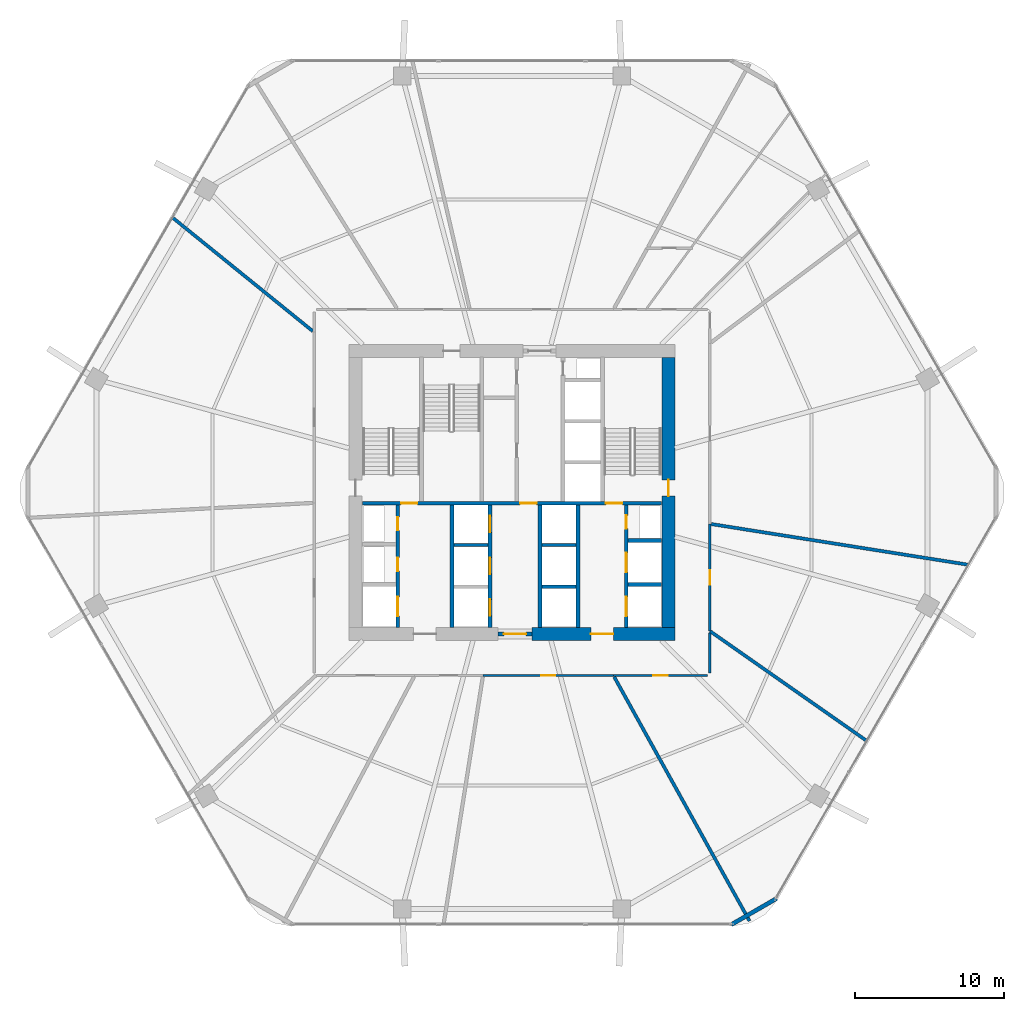
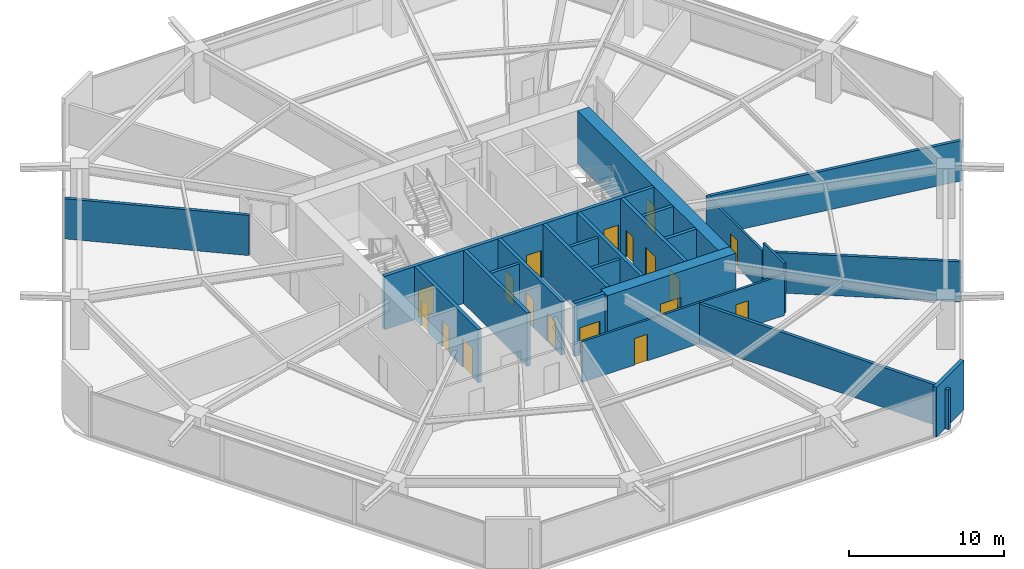
# One storey, part 22 of 26: 24 walls, 18 doors, 18 openings.
"""IFC4 building model written with IfcOpenShell, lengths in metres."""

from ifc_helpers import new_model, si_unit, direction, frame, frame_2d, origin, place, context, subcontext, project, spatial, rectangle, extrude, material, layer, layer_set, type_object, element, fill, save


model = new_model("IFC4")

# Units and contexts
model_context = context("Model", 3, precision=1e-05, world=origin(), true_north=direction((0.0, 1.0)))
body_context = subcontext(model_context, "Body", "Model", "MODEL_VIEW")
ifc_project = project(units=[si_unit("LENGTHUNIT", "METRE"), si_unit("AREAUNIT", "SQUARE_METRE"), si_unit("VOLUMEUNIT", "CUBIC_METRE"), si_unit("PLANEANGLEUNIT", "RADIAN"), si_unit("MASSUNIT", "GRAM", prefix="KILO")], contexts=[model_context])

# Site, building, storey
site_placement = place(None, origin())
site = spatial("IfcSite", under=ifc_project, at=site_placement, CompositionType="ELEMENT")
building_placement = place(site_placement, origin())
building = spatial("IfcBuilding", under=site, at=building_placement, Name="Zuhravey Tower", CompositionType="ELEMENT")
storey_placement = place(building_placement, frame((0.0, 0.0, 28.800048828125)))
storey = spatial("IfcBuildingStorey", under=building, at=storey_placement, Name="L07", CompositionType="ELEMENT", Elevation=28.800048828125)

# Wall, opening, door
ifc_material_1 = material(Name="Concrete C60/75", Category="concrete")
ifc_layer_1 = layer(ifc_material_1, 0.85009765625)
ifc_layer_set_1 = layer_set([ifc_layer_1], Name="Concrete C60/75")
wall_type_1 = type_object("IfcWallType", Name="Core Shear Wall 850", PredefinedType="SHEAR", material=ifc_layer_set_1)
wall_1_placement = place(storey_placement, frame((37.35009765625, 22.5, 0.0), z_axis=(0.0, 0.0, 1.0), x_axis=(1.0, 0.0, 0.0)))
wall_1 = element("IfcWall", 1, at=wall_1_placement, inside=storey, type_object=wall_type_1, Name="L07 South-East Core Shear Wall CW85", PredefinedType="SHEAR", context=body_context, shape_type="SweptSolid", body=[
    extrude(rectangle(XDim=9.574951171875, YDim=0.85009765625, at=frame_2d((4.78759765625, 0.0))), origin(), (0.0, 0.0, 1.0), 4.199951171875),
])
opening_1_placement = place(wall_1_placement, frame((3.949951171875, 0.0, 0.0)))
opening_1 = element("IfcOpeningElement", 2, at=opening_1_placement, cuts=wall_1, Name="Opening FFD1", PredefinedType="OPENING", context=body_context, shape_type="SweptSolid", body=[
    extrude(rectangle(XDim=1.5, YDim=2.14990234375, at=frame_2d((0.75, 1.074951171875))), frame((0.0, 0.43701171875, 0.0), z_axis=(0.0, -1.0, 0.0), x_axis=(1.0, 0.0, 0.0)), (0.0, 0.0, 1.0), 0.8740234375),
])
ifc_material_2 = material(Name="Galvanised fire-rated steel leaf", Category="steel")
door_type_1 = type_object("IfcDoorType", Name="Firefighting Lobby Double Door 1500x2150", OperationType="DOUBLE_DOOR_SINGLE_SWING", PredefinedType="DOOR", material=ifc_material_2)
door_1_placement = place(opening_1_placement, origin())
door_1 = element("IfcDoor", 3, at=door_1_placement, inside=storey, type_object=door_type_1, Name="L07 Firefighting Lobby East Door", OperationType="DOUBLE_DOOR_SINGLE_SWING", OverallHeight=2.14990234375, OverallWidth=1.5, PredefinedType="DOOR", context=body_context, shape_type="SweptSolid", body=[
    extrude(rectangle(XDim=1.5, YDim=2.14990234375, at=frame_2d((0.75, 1.074951171875))), frame((0.0, 0.02490234375, 0.0), z_axis=(0.0, -1.0, 0.0), x_axis=(1.0, 0.0, 0.0)), (0.0, 0.0, 1.0), 0.050048828125),
])
fill(opening_1, door_1)

wall_2_placement = place(storey_placement, frame((46.5, 22.925048828125, 0.0), z_axis=(0.0, 0.0, 1.0), x_axis=(0.0, 1.0, 0.0)))
wall_2 = element("IfcWall", 4, at=wall_2_placement, inside=storey, type_object=wall_type_1, Name="L07 East Core Shear Wall CW85", PredefinedType="SHEAR", context=body_context, shape_type="SweptSolid", body=[
    extrude(rectangle(XDim=18.14990234375, YDim=0.85009765625, at=frame_2d((9.074951171875, 0.0))), origin(), (0.0, 0.0, 1.0), 4.199951171875),
])
opening_2_placement = place(wall_2_placement, frame((8.824951171875, 0.0, 0.0)))
opening_2 = element("IfcOpeningElement", 5, at=opening_2_placement, cuts=wall_2, Name="Opening STD1", PredefinedType="OPENING", context=body_context, shape_type="SweptSolid", body=[
    extrude(rectangle(XDim=1.10009765625, YDim=2.14990234375, at=frame_2d((0.550048828125, 1.074951171875))), frame((0.0, 0.43701171875, 0.0), z_axis=(0.0, -1.0, 0.0), x_axis=(1.0, 0.0, 0.0)), (0.0, 0.0, 1.0), 0.8740234375),
])
door_type_2 = type_object("IfcDoorType", Name="Protected Stair Fire Door 1100x2150", OperationType="NOTDEFINED", PredefinedType="USERDEFINED", material=ifc_material_2)
door_2_placement = place(opening_2_placement, origin())
door_2 = element("IfcDoor", 6, at=door_2_placement, inside=storey, type_object=door_type_2, Name="L07 Stair ST2 Door", ObjectType="EXITDOOR", OperationType="SINGLE_SWING_LEFT", OverallHeight=2.14990234375, OverallWidth=1.10009765625, PredefinedType="USERDEFINED", context=body_context, shape_type="SweptSolid", body=[
    extrude(rectangle(XDim=1.10009765625, YDim=2.14990234375, at=frame_2d((0.550048828125, 1.074951171875))), frame((0.0, 0.02490234375, 0.0), z_axis=(0.0, -1.0, 0.0), x_axis=(1.0, 0.0, 0.0)), (0.0, 0.0, 1.0), 0.050048828125),
])
fill(opening_2, door_2)

ifc_material_3 = material(Name="Gypsum fire-rated stud partition")
ifc_layer_2 = layer(ifc_material_3, 0.159912109375)
ifc_layer_set_2 = layer_set([ifc_layer_2], Name="Gypsum fire-rated stud partition")
wall_type_2 = type_object("IfcWallType", Name="Corridor Fire Partition 160", PredefinedType="PARTITIONING", material=ifc_layer_set_2)
wall_3_placement = place(storey_placement, frame((34.05419921875, 19.715087890625, 0.0), z_axis=(0.0, 0.0, 1.0), x_axis=(1.0, 0.0, 0.0)))
wall_3 = element("IfcWall", 7, at=wall_3_placement, inside=storey, type_object=wall_type_2, Name="L07 IW16 Partition 030", PredefinedType="PARTITIONING", context=body_context, shape_type="SweptSolid", body=[
    extrude(rectangle(XDim=8.755615234375, YDim=0.159912109375, at=frame_2d((4.3779296875, 0.0))), origin(), (0.0, 0.0, 1.0), 3.219970703125),
])
opening_3_placement = place(wall_3_placement, frame((3.902587890625, 0.0, 0.0)))
opening_3 = element("IfcOpeningElement", 8, at=opening_3_placement, cuts=wall_3, Name="Opening IND1", PredefinedType="OPENING", context=body_context, shape_type="SweptSolid", body=[
    extrude(rectangle(XDim=0.949951171875, YDim=2.10009765625, at=frame_2d((0.47509765625, 1.050048828125))), frame((0.0, 0.092041015625, 0.0), z_axis=(0.0, -1.0, 0.0), x_axis=(1.0, 0.0, 0.0)), (0.0, 0.0, 1.0), 0.183837890625),
])
ifc_material_4 = material(Name="Painted engineered timber leaf", Category="wood")
door_type_3 = type_object("IfcDoorType", Name="Internal Room & Bedroom Door 950x2100", OperationType="NOTDEFINED", PredefinedType="DOOR", material=ifc_material_4)
door_3_placement = place(opening_3_placement, frame((0.949951171875, 0.0, 0.0), z_axis=(0.0, 0.0, 1.0), x_axis=(-1.0, 0.0, 0.0)))
door_3 = element("IfcDoor", 9, at=door_3_placement, inside=storey, type_object=door_type_3, Name="L07 Door 030.1", OperationType="SINGLE_SWING_LEFT", OverallHeight=2.10009765625, OverallWidth=0.949951171875, PredefinedType="DOOR", context=body_context, shape_type="SweptSolid", body=[
    extrude(rectangle(XDim=0.949951171875, YDim=2.10009765625, at=frame_2d((0.47509765625, 1.050048828125))), frame((0.0, 0.02490234375, 0.0), z_axis=(0.0, -1.0, 0.0), x_axis=(1.0, 0.0, 0.0)), (0.0, 0.0, 1.0), 0.050048828125),
])
fill(opening_3, door_3)

wall_4_placement = place(storey_placement, frame((42.809814453125, 19.715087890625, 0.0), z_axis=(0.0, 0.0, 1.0), x_axis=(1.0, 0.0, 0.0)))
wall_4 = element("IfcWall", 10, at=wall_4_placement, inside=storey, type_object=wall_type_2, Name="L07 IW16 Partition 031", PredefinedType="PARTITIONING", context=body_context, shape_type="SweptSolid", body=[
    extrude(rectangle(XDim=6.315185546875, YDim=0.159912109375, at=frame_2d((3.15771484375, 0.0))), origin(), (0.0, 0.0, 1.0), 3.219970703125),
])
opening_4_placement = place(wall_4_placement, frame((2.6826171875, 0.0, 0.0)))
opening_4 = element("IfcOpeningElement", 11, at=opening_4_placement, cuts=wall_4, Name="Opening IND1", PredefinedType="OPENING", context=body_context, shape_type="SweptSolid", body=[
    extrude(rectangle(XDim=0.949951171875, YDim=2.10009765625, at=frame_2d((0.47509765625, 1.050048828125))), frame((0.0, 0.092041015625, 0.0), z_axis=(0.0, -1.0, 0.0), x_axis=(1.0, 0.0, 0.0)), (0.0, 0.0, 1.0), 0.183837890625),
])
door_4_placement = place(opening_4_placement, frame((0.949951171875, 0.0, 0.0), z_axis=(0.0, 0.0, 1.0), x_axis=(-1.0, 0.0, 0.0)))
door_4 = element("IfcDoor", 12, at=door_4_placement, inside=storey, type_object=door_type_3, Name="L07 Door 031.1", OperationType="SINGLE_SWING_RIGHT", OverallHeight=2.10009765625, OverallWidth=0.949951171875, PredefinedType="DOOR", context=body_context, shape_type="SweptSolid", body=[
    extrude(rectangle(XDim=0.949951171875, YDim=2.10009765625, at=frame_2d((0.47509765625, 1.050048828125))), frame((0.0, 0.02490234375, 0.0), z_axis=(0.0, -1.0, 0.0), x_axis=(1.0, 0.0, 0.0)), (0.0, 0.0, 1.0), 0.050048828125),
])
fill(opening_4, door_4)

wall_5_placement = place(storey_placement, frame((49.284912109375, 22.69775390625, 0.0), z_axis=(0.0, 0.0, 1.0), x_axis=(0.0, 1.0, 0.0)))
wall_5 = element("IfcWall", 13, at=wall_5_placement, inside=storey, type_object=wall_type_2, Name="L07 IW16 Partition 032", PredefinedType="PARTITIONING", context=body_context, shape_type="SweptSolid", body=[
    extrude(rectangle(XDim=7.1982421875, YDim=0.159912109375, at=frame_2d((3.59912109375, 0.0))), origin(), (0.0, 0.0, 1.0), 3.219970703125),
])
opening_5_placement = place(wall_5_placement, frame((3.1240234375, 0.0, 0.0)))
opening_5 = element("IfcOpeningElement", 14, at=opening_5_placement, cuts=wall_5, Name="Opening IND1", PredefinedType="OPENING", context=body_context, shape_type="SweptSolid", body=[
    extrude(rectangle(XDim=0.949951171875, YDim=2.10009765625, at=frame_2d((0.47509765625, 1.050048828125))), frame((0.0, 0.092041015625, 0.0), z_axis=(0.0, -1.0, 0.0), x_axis=(1.0, 0.0, 0.0)), (0.0, 0.0, 1.0), 0.183837890625),
])
door_5_placement = place(opening_5_placement, frame((0.949951171875, 0.0, 0.0), z_axis=(0.0, 0.0, 1.0), x_axis=(-1.0, 0.0, 0.0)))
door_5 = element("IfcDoor", 15, at=door_5_placement, inside=storey, type_object=door_type_3, Name="L07 Door 032.1", OperationType="SINGLE_SWING_LEFT", OverallHeight=2.10009765625, OverallWidth=0.949951171875, PredefinedType="DOOR", context=body_context, shape_type="SweptSolid", body=[
    extrude(rectangle(XDim=0.949951171875, YDim=2.10009765625, at=frame_2d((0.47509765625, 1.050048828125))), frame((0.0, 0.02490234375, 0.0), z_axis=(0.0, -1.0, 0.0), x_axis=(1.0, 0.0, 0.0)), (0.0, 0.0, 1.0), 0.050048828125),
])
fill(opening_5, door_5)

# Walls
wall_6_placement = place(storey_placement, frame((49.284912109375, 19.875, 0.0), z_axis=(0.0, 0.0, 1.0), x_axis=(0.0, 1.0, 0.0)))
element("IfcWall", 16, at=wall_6_placement, inside=storey, type_object=wall_type_2, Name="L07 IW16 Partition 060", PredefinedType="PARTITIONING", context=body_context, shape_type="SweptSolid", body=[
    extrude(rectangle(XDim=2.6787109375, YDim=0.159912109375, at=frame_2d((1.33935546875, 0.0))), origin(), (0.0, 0.0, 1.0), 3.919921875),
])
ifc_material_5 = material(Name="Precast concrete C40/50", Category="concrete")
ifc_layer_3 = layer(ifc_material_5, 0.280029296875)
ifc_layer_set_3 = layer_set([ifc_layer_3], Name="Precast concrete C40/50")
wall_type_3 = type_object("IfcWallType", Name="Crown Architectural Wall 280", PredefinedType="SOLIDWALL", material=ifc_layer_set_3)
wall_7_placement = place(storey_placement, frame((53.76123046875, 4.75146484375, 0.0), z_axis=(0.0, 0.0, 1.0), x_axis=(-0.866007452331, -0.500031091541, 0.0)))
element("IfcWall", 17, at=wall_7_placement, inside=storey, type_object=wall_type_3, Name="L07 Rounded Corner Closure Wall EW28-02", PredefinedType="SOLIDWALL", context=body_context, shape_type="SweptSolid", body=[
    extrude(rectangle(XDim=3.514892578125, YDim=0.280029296875, at=frame_2d((1.75732421875, 0.0))), origin(), (0.0, 0.0, 1.0), 3.919921875),
])

# Wall, opening, door
ifc_material_6 = material(Name="Concrete C50/60", Category="concrete")
ifc_layer_4 = layer(ifc_material_6, 0.25)
ifc_layer_set_4 = layer_set([ifc_layer_4], Name="Concrete C50/60")
wall_type_4 = type_object("IfcWallType", Name="Firefighting Shaft & Stair Wall 250", PredefinedType="SOLIDWALL", material=ifc_layer_set_4)
wall_8_placement = place(storey_placement, frame((35.06005859375, 22.5, 0.0), z_axis=(0.0, 0.0, 1.0), x_axis=(1.0, 0.0, 0.0)))
wall_8 = element("IfcWall", 18, at=wall_8_placement, inside=storey, type_object=wall_type_4, Name="L07 FW25 Shaft Wall 001", PredefinedType="SOLIDWALL", context=body_context, shape_type="SweptSolid", body=[
    extrude(rectangle(XDim=2.280029296875, YDim=0.25, at=frame_2d((1.14013671875, 0.0))), origin(), (0.0, 0.0, 1.0), 4.199951171875),
])
opening_6_placement = place(wall_8_placement, frame((0.389892578125, 0.0, 0.0)))
opening_6 = element("IfcOpeningElement", 19, at=opening_6_placement, cuts=wall_8, Name="Opening FFD1", PredefinedType="OPENING", context=body_context, shape_type="SweptSolid", body=[
    extrude(rectangle(XDim=1.5, YDim=2.14990234375, at=frame_2d((0.75, 1.074951171875))), frame((0.0, 0.136962890625, 0.0), z_axis=(0.0, -1.0, 0.0), x_axis=(1.0, 0.0, 0.0)), (0.0, 0.0, 1.0), 0.27392578125),
])
door_6_placement = place(opening_6_placement, frame((1.5, 0.0, 0.0), z_axis=(0.0, 0.0, 1.0), x_axis=(-1.0, 0.0, 0.0)))
door_6 = element("IfcDoor", 20, at=door_6_placement, inside=storey, type_object=door_type_1, Name="L07 South Lift Lobby Exit Door", OperationType="DOUBLE_DOOR_SINGLE_SWING", OverallHeight=2.14990234375, OverallWidth=1.5, PredefinedType="DOOR", context=body_context, shape_type="SweptSolid", body=[
    extrude(rectangle(XDim=1.5, YDim=2.14990234375, at=frame_2d((0.75, 1.074951171875))), frame((0.0, 0.02490234375, 0.0), z_axis=(0.0, -1.0, 0.0), x_axis=(1.0, 0.0, 0.0)), (0.0, 0.0, 1.0), 0.050048828125),
])
fill(opening_6, door_6)

# Wall, openings, doors
wall_9_placement = place(storey_placement, frame((25.949951171875, 31.27490234375, 0.0), z_axis=(0.0, 0.0, 1.0), x_axis=(1.0, 0.0, 0.0)))
wall_9 = element("IfcWall", 21, at=wall_9_placement, inside=storey, type_object=wall_type_4, Name="L07 FW25 Shaft Wall 003", PredefinedType="SOLIDWALL", context=body_context, shape_type="SweptSolid", body=[
    extrude(rectangle(XDim=20.10009765625, YDim=0.25, at=frame_2d((10.050048828125, 0.0))), origin(), (0.0, 0.0, 1.0), 4.199951171875),
])
opening_7_placement = place(wall_9_placement, frame((2.60009765625, 0.0, 0.0)))
opening_7 = element("IfcOpeningElement", 22, at=opening_7_placement, cuts=wall_9, Name="Opening STD1", PredefinedType="OPENING", context=body_context, shape_type="SweptSolid", body=[
    extrude(rectangle(XDim=1.10009765625, YDim=2.14990234375, at=frame_2d((0.550048828125, 1.074951171875))), frame((0.0, 0.136962890625, 0.0), z_axis=(0.0, -1.0, 0.0), x_axis=(1.0, 0.0, 0.0)), (0.0, 0.0, 1.0), 0.27392578125),
])
opening_8_placement = place(wall_9_placement, frame((10.60009765625, 0.0, 0.0)))
opening_8 = element("IfcOpeningElement", 23, at=opening_8_placement, cuts=wall_9, Name="Opening STD1", PredefinedType="OPENING", context=body_context, shape_type="SweptSolid", body=[
    extrude(rectangle(XDim=1.10009765625, YDim=2.14990234375, at=frame_2d((0.550048828125, 1.074951171875))), frame((0.0, 0.136962890625, 0.0), z_axis=(0.0, -1.0, 0.0), x_axis=(1.0, 0.0, 0.0)), (0.0, 0.0, 1.0), 0.27392578125),
])
opening_9_placement = place(wall_9_placement, frame((16.35009765625, 0.0, 0.0)))
opening_9 = element("IfcOpeningElement", 24, at=opening_9_placement, cuts=wall_9, Name="Opening STD1", PredefinedType="OPENING", context=body_context, shape_type="SweptSolid", body=[
    extrude(rectangle(XDim=1.10009765625, YDim=2.14990234375, at=frame_2d((0.550048828125, 1.074951171875))), frame((0.0, 0.136962890625, 0.0), z_axis=(0.0, -1.0, 0.0), x_axis=(1.0, 0.0, 0.0)), (0.0, 0.0, 1.0), 0.27392578125),
])
door_7_placement = place(opening_7_placement, origin())
door_7 = element("IfcDoor", 25, at=door_7_placement, inside=storey, type_object=door_type_2, Name="L07 FFL-W to ST1 Door", ObjectType="EXITDOOR", OperationType="SINGLE_SWING_LEFT", OverallHeight=2.14990234375, OverallWidth=1.10009765625, PredefinedType="USERDEFINED", context=body_context, shape_type="SweptSolid", body=[
    extrude(rectangle(XDim=1.10009765625, YDim=2.14990234375, at=frame_2d((0.550048828125, 1.074951171875))), frame((0.0, 0.02490234375, 0.0), z_axis=(0.0, -1.0, 0.0), x_axis=(1.0, 0.0, 0.0)), (0.0, 0.0, 1.0), 0.050048828125),
])
fill(opening_7, door_7)
door_8_placement = place(opening_8_placement, origin())
door_8 = element("IfcDoor", 26, at=door_8_placement, inside=storey, type_object=door_type_2, Name="L07 Core Lobby Link Door", ObjectType="EXITDOOR", OperationType="SINGLE_SWING_RIGHT", OverallHeight=2.14990234375, OverallWidth=1.10009765625, PredefinedType="USERDEFINED", context=body_context, shape_type="SweptSolid", body=[
    extrude(rectangle(XDim=1.10009765625, YDim=2.14990234375, at=frame_2d((0.550048828125, 1.074951171875))), frame((0.0, 0.02490234375, 0.0), z_axis=(0.0, -1.0, 0.0), x_axis=(1.0, 0.0, 0.0)), (0.0, 0.0, 1.0), 0.050048828125),
])
fill(opening_8, door_8)
door_9_placement = place(opening_9_placement, origin())
door_9 = element("IfcDoor", 27, at=door_9_placement, inside=storey, type_object=door_type_2, Name="L07 FFL-E to ST2 Door", ObjectType="EXITDOOR", OperationType="SINGLE_SWING_LEFT", OverallHeight=2.14990234375, OverallWidth=1.10009765625, PredefinedType="USERDEFINED", context=body_context, shape_type="SweptSolid", body=[
    extrude(rectangle(XDim=1.10009765625, YDim=2.14990234375, at=frame_2d((0.550048828125, 1.074951171875))), frame((0.0, 0.02490234375, 0.0), z_axis=(0.0, -1.0, 0.0), x_axis=(1.0, 0.0, 0.0)), (0.0, 0.0, 1.0), 0.050048828125),
])
fill(opening_9, door_9)

wall_10_placement = place(storey_placement, frame((28.324951171875, 22.949951171875, 0.0), z_axis=(0.0, 0.0, 1.0), x_axis=(0.0, 1.0, 0.0)))
wall_10 = element("IfcWall", 28, at=wall_10_placement, inside=storey, type_object=wall_type_4, Name="L07 FW25 Shaft Wall 011", PredefinedType="SOLIDWALL", context=body_context, shape_type="SweptSolid", body=[
    extrude(rectangle(XDim=8.199951171875, YDim=0.25, at=frame_2d((4.10009765625, 0.0))), origin(), (0.0, 0.0, 1.0), 4.199951171875),
])
opening_10_placement = place(wall_10_placement, frame((0.75, 0.0, 0.0)))
opening_10 = element("IfcOpeningElement", 29, at=opening_10_placement, cuts=wall_10, Name="Opening LD2", PredefinedType="OPENING", context=body_context, shape_type="SweptSolid", body=[
    extrude(rectangle(XDim=1.300048828125, YDim=2.300048828125, at=frame_2d((0.64990234375, 1.14990234375))), frame((0.0, 0.136962890625, 0.0), z_axis=(0.0, -1.0, 0.0), x_axis=(1.0, 0.0, 0.0)), (0.0, 0.0, 1.0), 0.27392578125),
])
opening_11_placement = place(wall_10_placement, frame((3.780029296875, 0.0, 0.0)))
opening_11 = element("IfcOpeningElement", 30, at=opening_11_placement, cuts=wall_10, Name="Opening RSD1", PredefinedType="OPENING", context=body_context, shape_type="SweptSolid", body=[
    extrude(rectangle(XDim=0.89990234375, YDim=2.10009765625, at=frame_2d((0.449951171875, 1.050048828125))), frame((0.0, 0.136962890625, 0.0), z_axis=(0.0, -1.0, 0.0), x_axis=(1.0, 0.0, 0.0)), (0.0, 0.0, 1.0), 0.27392578125),
])
opening_12_placement = place(wall_10_placement, frame((6.5, 0.0, 0.0)))
opening_12 = element("IfcOpeningElement", 31, at=opening_12_placement, cuts=wall_10, Name="Opening RSD1", PredefinedType="OPENING", context=body_context, shape_type="SweptSolid", body=[
    extrude(rectangle(XDim=0.89990234375, YDim=2.10009765625, at=frame_2d((0.449951171875, 1.050048828125))), frame((0.0, 0.136962890625, 0.0), z_axis=(0.0, -1.0, 0.0), x_axis=(1.0, 0.0, 0.0)), (0.0, 0.0, 1.0), 0.27392578125),
])
ifc_material_7 = material(Name="Brushed stainless steel", Category="steel")
door_type_4 = type_object("IfcDoorType", Name="Freight & Stretcher Lift Sliding Door 1300x2300", OperationType="DOUBLE_DOOR_SLIDING", PredefinedType="DOOR", material=ifc_material_7)
door_10_placement = place(opening_10_placement, frame((1.300048828125, 0.0, 0.0), z_axis=(0.0, 0.0, 1.0), x_axis=(-1.0, 0.0, 0.0)))
door_10 = element("IfcDoor", 32, at=door_10_placement, inside=storey, type_object=door_type_4, Name="L07 Lift FF1 Landing Door", OperationType="DOUBLE_DOOR_SLIDING", OverallHeight=2.300048828125, OverallWidth=1.300048828125, PredefinedType="DOOR", context=body_context, shape_type="SweptSolid", body=[
    extrude(rectangle(XDim=1.300048828125, YDim=2.300048828125, at=frame_2d((0.64990234375, 1.14990234375))), frame((0.0, 0.02490234375, 0.0), z_axis=(0.0, -1.0, 0.0), x_axis=(1.0, 0.0, 0.0)), (0.0, 0.0, 1.0), 0.050048828125),
])
fill(opening_10, door_10)
ifc_material_8 = material(Name="Galvanised fire-rated steel access leaf", Category="steel")
door_type_5 = type_object("IfcDoorType", Name="Riser & Shaft Access Fire Door 900x2100", OperationType="NOTDEFINED", PredefinedType="DOOR", material=ifc_material_8)
door_11_placement = place(opening_11_placement, frame((0.89990234375, 0.0, 0.0), z_axis=(0.0, 0.0, 1.0), x_axis=(-1.0, 0.0, 0.0)))
door_11 = element("IfcDoor", 33, at=door_11_placement, inside=storey, type_object=door_type_5, Name="L07 Electrical Riser Door", OperationType="SINGLE_SWING_LEFT", OverallHeight=2.10009765625, OverallWidth=0.89990234375, PredefinedType="DOOR", context=body_context, shape_type="SweptSolid", body=[
    extrude(rectangle(XDim=0.89990234375, YDim=2.10009765625, at=frame_2d((0.449951171875, 1.050048828125))), frame((0.0, 0.02490234375, 0.0), z_axis=(0.0, -1.0, 0.0), x_axis=(1.0, 0.0, 0.0)), (0.0, 0.0, 1.0), 0.050048828125),
])
fill(opening_11, door_11)
door_12_placement = place(opening_12_placement, frame((0.89990234375, 0.0, 0.0), z_axis=(0.0, 0.0, 1.0), x_axis=(-1.0, 0.0, 0.0)))
door_12 = element("IfcDoor", 34, at=door_12_placement, inside=storey, type_object=door_type_5, Name="L07 Smoke Shaft Access Door", OperationType="SINGLE_SWING_RIGHT", OverallHeight=2.10009765625, OverallWidth=0.89990234375, PredefinedType="DOOR", context=body_context, shape_type="SweptSolid", body=[
    extrude(rectangle(XDim=0.89990234375, YDim=2.10009765625, at=frame_2d((0.449951171875, 1.050048828125))), frame((0.0, 0.02490234375, 0.0), z_axis=(0.0, -1.0, 0.0), x_axis=(1.0, 0.0, 0.0)), (0.0, 0.0, 1.0), 0.050048828125),
])
fill(opening_12, door_12)

# Wall
wall_11_placement = place(storey_placement, frame((31.97509765625, 22.949951171875, 0.0), z_axis=(0.0, 0.0, 1.0), x_axis=(0.0, 1.0, 0.0)))
element("IfcWall", 35, at=wall_11_placement, inside=storey, type_object=wall_type_4, Name="L07 FW25 Shaft Wall 012", PredefinedType="SOLIDWALL", context=body_context, shape_type="SweptSolid", body=[
    extrude(rectangle(XDim=8.199951171875, YDim=0.25, at=frame_2d((4.10009765625, 0.0))), origin(), (0.0, 0.0, 1.0), 4.199951171875),
])

# Wall, openings, doors
wall_12_placement = place(storey_placement, frame((34.52490234375, 22.949951171875, 0.0), z_axis=(0.0, 0.0, 1.0), x_axis=(0.0, 1.0, 0.0)))
wall_12 = element("IfcWall", 36, at=wall_12_placement, inside=storey, type_object=wall_type_4, Name="L07 FW25 Shaft Wall 013", PredefinedType="SOLIDWALL", context=body_context, shape_type="SweptSolid", body=[
    extrude(rectangle(XDim=8.199951171875, YDim=0.25, at=frame_2d((4.10009765625, 0.0))), origin(), (0.0, 0.0, 1.0), 4.199951171875),
])
opening_13_placement = place(wall_12_placement, frame((0.77490234375, 0.0, 0.0)))
opening_13 = element("IfcOpeningElement", 37, at=opening_13_placement, cuts=wall_12, Name="Opening LD1", PredefinedType="OPENING", context=body_context, shape_type="SweptSolid", body=[
    extrude(rectangle(XDim=1.10009765625, YDim=2.199951171875, at=frame_2d((0.550048828125, 1.10009765625))), frame((0.0, 0.136962890625, 0.0), z_axis=(0.0, -1.0, 0.0), x_axis=(1.0, 0.0, 0.0)), (0.0, 0.0, 1.0), 0.27392578125),
])
opening_14_placement = place(wall_12_placement, frame((3.574951171875, 0.0, 0.0)))
opening_14 = element("IfcOpeningElement", 38, at=opening_14_placement, cuts=wall_12, Name="Opening LD1", PredefinedType="OPENING", context=body_context, shape_type="SweptSolid", body=[
    extrude(rectangle(XDim=1.10009765625, YDim=2.199951171875, at=frame_2d((0.550048828125, 1.10009765625))), frame((0.0, 0.136962890625, 0.0), z_axis=(0.0, -1.0, 0.0), x_axis=(1.0, 0.0, 0.0)), (0.0, 0.0, 1.0), 0.27392578125),
])
opening_15_placement = place(wall_12_placement, frame((6.375, 0.0, 0.0)))
opening_15 = element("IfcOpeningElement", 39, at=opening_15_placement, cuts=wall_12, Name="Opening LD1", PredefinedType="OPENING", context=body_context, shape_type="SweptSolid", body=[
    extrude(rectangle(XDim=1.10009765625, YDim=2.199951171875, at=frame_2d((0.550048828125, 1.10009765625))), frame((0.0, 0.136962890625, 0.0), z_axis=(0.0, -1.0, 0.0), x_axis=(1.0, 0.0, 0.0)), (0.0, 0.0, 1.0), 0.27392578125),
])
door_type_6 = type_object("IfcDoorType", Name="Lift Landing Sliding Door 1100x2200", OperationType="DOUBLE_DOOR_SLIDING", PredefinedType="DOOR", material=ifc_material_7)
door_13_placement = place(opening_13_placement, frame((1.10009765625, 0.0, 0.0), z_axis=(0.0, 0.0, 1.0), x_axis=(-1.0, 0.0, 0.0)))
door_13 = element("IfcDoor", 40, at=door_13_placement, inside=storey, type_object=door_type_6, Name="L07 Lift PL1 Landing Door", OperationType="DOUBLE_DOOR_SLIDING", OverallHeight=2.199951171875, OverallWidth=1.10009765625, PredefinedType="DOOR", context=body_context, shape_type="SweptSolid", body=[
    extrude(rectangle(XDim=1.10009765625, YDim=2.199951171875, at=frame_2d((0.550048828125, 1.10009765625))), frame((0.0, 0.02490234375, 0.0), z_axis=(0.0, -1.0, 0.0), x_axis=(1.0, 0.0, 0.0)), (0.0, 0.0, 1.0), 0.050048828125),
])
fill(opening_13, door_13)
door_14_placement = place(opening_14_placement, frame((1.10009765625, 0.0, 0.0), z_axis=(0.0, 0.0, 1.0), x_axis=(-1.0, 0.0, 0.0)))
door_14 = element("IfcDoor", 41, at=door_14_placement, inside=storey, type_object=door_type_6, Name="L07 Lift PL2 Landing Door", OperationType="DOUBLE_DOOR_SLIDING", OverallHeight=2.199951171875, OverallWidth=1.10009765625, PredefinedType="DOOR", context=body_context, shape_type="SweptSolid", body=[
    extrude(rectangle(XDim=1.10009765625, YDim=2.199951171875, at=frame_2d((0.550048828125, 1.10009765625))), frame((0.0, 0.02490234375, 0.0), z_axis=(0.0, -1.0, 0.0), x_axis=(1.0, 0.0, 0.0)), (0.0, 0.0, 1.0), 0.050048828125),
])
fill(opening_14, door_14)
door_15_placement = place(opening_15_placement, frame((1.10009765625, 0.0, 0.0), z_axis=(0.0, 0.0, 1.0), x_axis=(-1.0, 0.0, 0.0)))
door_15 = element("IfcDoor", 42, at=door_15_placement, inside=storey, type_object=door_type_6, Name="L07 Lift PL3 Landing Door", OperationType="DOUBLE_DOOR_SLIDING", OverallHeight=2.199951171875, OverallWidth=1.10009765625, PredefinedType="DOOR", context=body_context, shape_type="SweptSolid", body=[
    extrude(rectangle(XDim=1.10009765625, YDim=2.199951171875, at=frame_2d((0.550048828125, 1.10009765625))), frame((0.0, 0.02490234375, 0.0), z_axis=(0.0, -1.0, 0.0), x_axis=(1.0, 0.0, 0.0)), (0.0, 0.0, 1.0), 0.050048828125),
])
fill(opening_15, door_15)

# Walls
for number, where, z_axis, x_axis, name in (
    (43, (37.875, 22.949951171875, 0.0), (0.0, 0.0, 1.0), (0.0, 1.0, 0.0), "L07 FW25 Shaft Wall 014"),
    (44, (40.425048828125, 22.949951171875, 0.0), (0.0, 0.0, 1.0), (0.0, 1.0, 0.0), "L07 FW25 Shaft Wall 015"),
):
    element("IfcWall", number, at=place(storey_placement, frame(where, z_axis=z_axis, x_axis=x_axis)), inside=storey, type_object=wall_type_4, Name=name, PredefinedType="SOLIDWALL", context=body_context, shape_type="SweptSolid", body=[
        extrude(rectangle(XDim=8.199951171875, YDim=0.25, at=frame_2d((4.10009765625, 0.0))), origin(), (0.0, 0.0, 1.0), 4.199951171875),
    ])
for number, where, z_axis, x_axis, name in (
    (45, (43.800048828125, 25.824951171875, 0.0), (0.0, 0.0, 1.0), (1.0, 0.0, 0.0), "L07 FW25 Shaft Wall 016"),
    (46, (43.800048828125, 28.77490234375, 0.0), (0.0, 0.0, 1.0), (1.0, 0.0, 0.0), "L07 FW25 Shaft Wall 017"),
):
    element("IfcWall", number, at=place(storey_placement, frame(where, z_axis=z_axis, x_axis=x_axis)), inside=storey, type_object=wall_type_4, Name=name, PredefinedType="SOLIDWALL", context=body_context, shape_type="SweptSolid", body=[
        extrude(rectangle(XDim=2.25, YDim=0.25, at=frame_2d((1.125, 0.0))), origin(), (0.0, 0.0, 1.0), 4.199951171875),
    ])

# Wall, openings, doors
wall_13_placement = place(storey_placement, frame((43.675048828125, 22.949951171875, 0.0), z_axis=(0.0, 0.0, 1.0), x_axis=(0.0, 1.0, 0.0)))
wall_13 = element("IfcWall", 47, at=wall_13_placement, inside=storey, type_object=wall_type_4, Name="L07 FW25 Shaft Wall 018", PredefinedType="SOLIDWALL", context=body_context, shape_type="SweptSolid", body=[
    extrude(rectangle(XDim=8.199951171875, YDim=0.25, at=frame_2d((4.10009765625, 0.0))), origin(), (0.0, 0.0, 1.0), 4.199951171875),
])
opening_16_placement = place(wall_13_placement, frame((0.75, 0.0, 0.0)))
opening_16 = element("IfcOpeningElement", 48, at=opening_16_placement, cuts=wall_13, Name="Opening LD2", PredefinedType="OPENING", context=body_context, shape_type="SweptSolid", body=[
    extrude(rectangle(XDim=1.300048828125, YDim=2.300048828125, at=frame_2d((0.64990234375, 1.14990234375))), frame((0.0, 0.136962890625, 0.0), z_axis=(0.0, -1.0, 0.0), x_axis=(1.0, 0.0, 0.0)), (0.0, 0.0, 1.0), 0.27392578125),
])
opening_17_placement = place(wall_13_placement, frame((3.699951171875, 0.0, 0.0)))
opening_17 = element("IfcOpeningElement", 49, at=opening_17_placement, cuts=wall_13, Name="Opening LD2", PredefinedType="OPENING", context=body_context, shape_type="SweptSolid", body=[
    extrude(rectangle(XDim=1.300048828125, YDim=2.300048828125, at=frame_2d((0.64990234375, 1.14990234375))), frame((0.0, 0.136962890625, 0.0), z_axis=(0.0, -1.0, 0.0), x_axis=(1.0, 0.0, 0.0)), (0.0, 0.0, 1.0), 0.27392578125),
])
opening_18_placement = place(wall_13_placement, frame((6.6201171875, 0.0, 0.0)))
opening_18 = element("IfcOpeningElement", 50, at=opening_18_placement, cuts=wall_13, Name="Opening RSD1", PredefinedType="OPENING", context=body_context, shape_type="SweptSolid", body=[
    extrude(rectangle(XDim=0.89990234375, YDim=2.10009765625, at=frame_2d((0.449951171875, 1.050048828125))), frame((0.0, 0.136962890625, 0.0), z_axis=(0.0, -1.0, 0.0), x_axis=(1.0, 0.0, 0.0)), (0.0, 0.0, 1.0), 0.27392578125),
])
door_16_placement = place(opening_16_placement, origin())
door_16 = element("IfcDoor", 51, at=door_16_placement, inside=storey, type_object=door_type_4, Name="L07 Lift FF2 Landing Door", OperationType="DOUBLE_DOOR_SLIDING", OverallHeight=2.300048828125, OverallWidth=1.300048828125, PredefinedType="DOOR", context=body_context, shape_type="SweptSolid", body=[
    extrude(rectangle(XDim=1.300048828125, YDim=2.300048828125, at=frame_2d((0.64990234375, 1.14990234375))), frame((0.0, 0.02490234375, 0.0), z_axis=(0.0, -1.0, 0.0), x_axis=(1.0, 0.0, 0.0)), (0.0, 0.0, 1.0), 0.050048828125),
])
fill(opening_16, door_16)
door_17_placement = place(opening_17_placement, origin())
door_17 = element("IfcDoor", 52, at=door_17_placement, inside=storey, type_object=door_type_4, Name="L07 Lift SV1 Landing Door", OperationType="DOUBLE_DOOR_SLIDING", OverallHeight=2.300048828125, OverallWidth=1.300048828125, PredefinedType="DOOR", context=body_context, shape_type="SweptSolid", body=[
    extrude(rectangle(XDim=1.300048828125, YDim=2.300048828125, at=frame_2d((0.64990234375, 1.14990234375))), frame((0.0, 0.02490234375, 0.0), z_axis=(0.0, -1.0, 0.0), x_axis=(1.0, 0.0, 0.0)), (0.0, 0.0, 1.0), 0.050048828125),
])
fill(opening_17, door_17)
door_18_placement = place(opening_18_placement, origin())
door_18 = element("IfcDoor", 53, at=door_18_placement, inside=storey, type_object=door_type_5, Name="L07 Plumbing Riser Door", OperationType="SINGLE_SWING_LEFT", OverallHeight=2.10009765625, OverallWidth=0.89990234375, PredefinedType="DOOR", context=body_context, shape_type="SweptSolid", body=[
    extrude(rectangle(XDim=0.89990234375, YDim=2.10009765625, at=frame_2d((0.449951171875, 1.050048828125))), frame((0.0, 0.02490234375, 0.0), z_axis=(0.0, -1.0, 0.0), x_axis=(1.0, 0.0, 0.0)), (0.0, 0.0, 1.0), 0.050048828125),
])
fill(opening_18, door_18)

# Walls
ifc_material_9 = material(Name="Gypsum acoustic stud assembly")
ifc_layer_5 = layer(ifc_material_9, 0.219970703125)
ifc_layer_set_5 = layer_set([ifc_layer_5], Name="Gypsum acoustic stud assembly")
wall_type_5 = type_object("IfcWallType", Name="School Acoustic Compartment Wall 220", PredefinedType="PARTITIONING", material=ifc_layer_set_5)
wall_14_placement = place(storey_placement, frame((32.10791015625, 28.47509765625, 0.0), z_axis=(0.0, 0.0, 1.0), x_axis=(1.0, 0.0, 0.0)))
element("IfcWall", 54, at=wall_14_placement, inside=storey, type_object=wall_type_5, Name="L07 IW22 Partition 039", PredefinedType="PARTITIONING", context=body_context, shape_type="SweptSolid", body=[
    extrude(rectangle(XDim=2.2841796875, YDim=0.219970703125, at=frame_2d((1.14208984375, 0.0))), origin(), (0.0, 0.0, 1.0), 3.919921875),
])
for number, where, z_axis, x_axis, name in (
    (55, (38.008056640625, 25.675048828125, 0.0), (0.0, 0.0, 1.0), (1.0, 0.0, 0.0), "L07 IW22 Partition 040"),
    (56, (38.008056640625, 28.47509765625, 0.0), (0.0, 0.0, 1.0), (1.0, 0.0, 0.0), "L07 IW22 Partition 041"),
):
    element("IfcWall", number, at=place(storey_placement, frame(where, z_axis=z_axis, x_axis=x_axis)), inside=storey, type_object=wall_type_5, Name=name, PredefinedType="PARTITIONING", context=body_context, shape_type="SweptSolid", body=[
        extrude(rectangle(XDim=2.283935546875, YDim=0.219970703125, at=frame_2d((1.14208984375, 0.0))), origin(), (0.0, 0.0, 1.0), 3.919921875),
    ])
wall_15_placement = place(storey_placement, frame((22.626953125, 42.829345703125, 0.0), z_axis=(0.0, 0.0, 1.0), x_axis=(-0.777142055765, 0.629325214147, 0.0)))
element("IfcWall", 57, at=wall_15_placement, inside=storey, type_object=wall_type_5, Name="L07 IW22 Partition 053", PredefinedType="PARTITIONING", context=body_context, shape_type="SweptSolid", body=[
    extrude(rectangle(XDim=12.111572265625, YDim=0.219970703125, at=frame_2d((6.0556640625, 0.0))), origin(), (0.0, 0.0, 1.0), 3.169921875),
])
wall_16_placement = place(storey_placement, frame((42.8583984375, 19.626953125, 0.0), z_axis=(0.0, 0.0, 1.0), x_axis=(0.484814111505, -0.874617217579, 0.0)))
element("IfcWall", 58, at=wall_16_placement, inside=storey, type_object=wall_type_5, Name="L07 IW22 Partition 058", PredefinedType="PARTITIONING", context=body_context, shape_type="SweptSolid", body=[
    extrude(rectangle(XDim=18.737548828125, YDim=0.219970703125, at=frame_2d((9.36865234375, 0.0))), origin(), (0.0, 0.0, 1.0), 3.169921875),
])
wall_17_placement = place(storey_placement, frame((49.284912109375, 22.69775390625, 0.0), z_axis=(0.0, 0.0, 1.0), x_axis=(0.819154265409, -0.57357326425, 0.0)))
element("IfcWall", 59, at=wall_17_placement, inside=storey, type_object=wall_type_5, Name="L07 IW22 Partition 059", PredefinedType="PARTITIONING", context=body_context, shape_type="SweptSolid", body=[
    extrude(rectangle(XDim=12.85107421875, YDim=0.219970703125, at=frame_2d((6.425537109375, 0.0))), origin(), (0.0, 0.0, 1.0), 3.169921875),
])
wall_18_placement = place(storey_placement, frame((49.373046875, 29.8818359375, 0.0), z_axis=(0.0, 0.0, 1.0), x_axis=(0.987689809262, -0.156425191961, 0.0)))
element("IfcWall", 60, at=wall_18_placement, inside=storey, type_object=wall_type_5, Name="L07 IW22 Partition 061", PredefinedType="PARTITIONING", context=body_context, shape_type="SweptSolid", body=[
    extrude(rectangle(XDim=17.478759765625, YDim=0.219970703125, at=frame_2d((8.7392578125, 0.0))), origin(), (0.0, 0.0, 1.0), 3.169921875),
])

save(model, "model.ifc")
